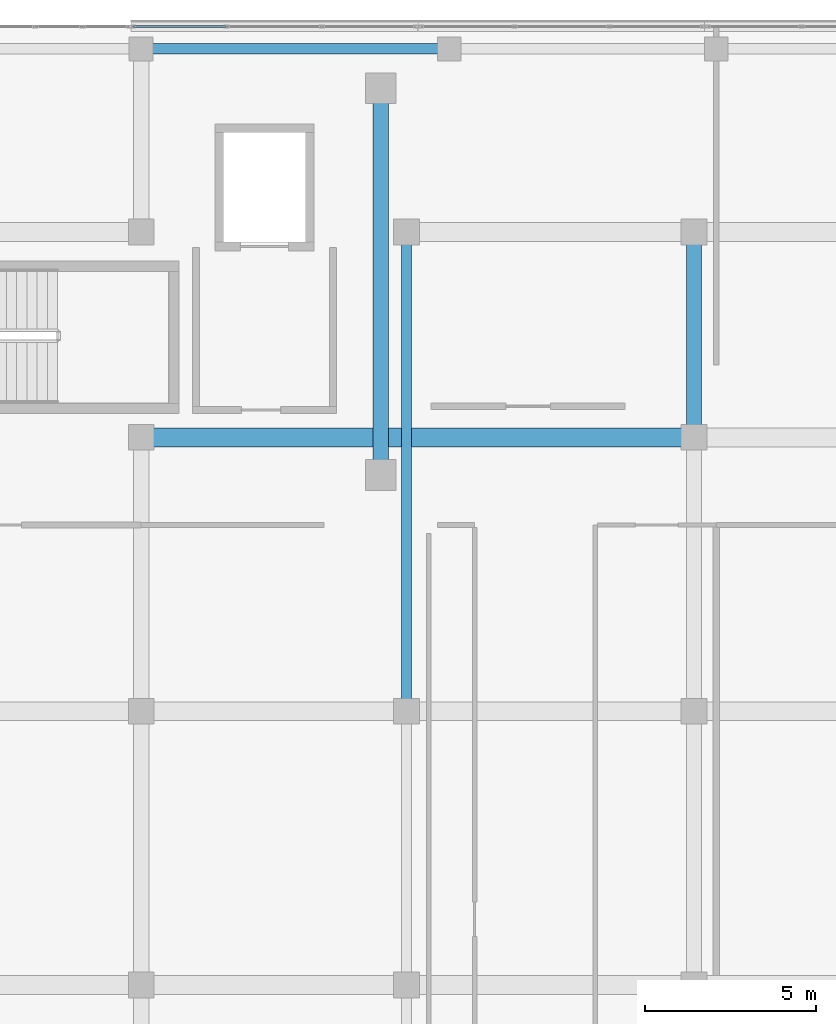
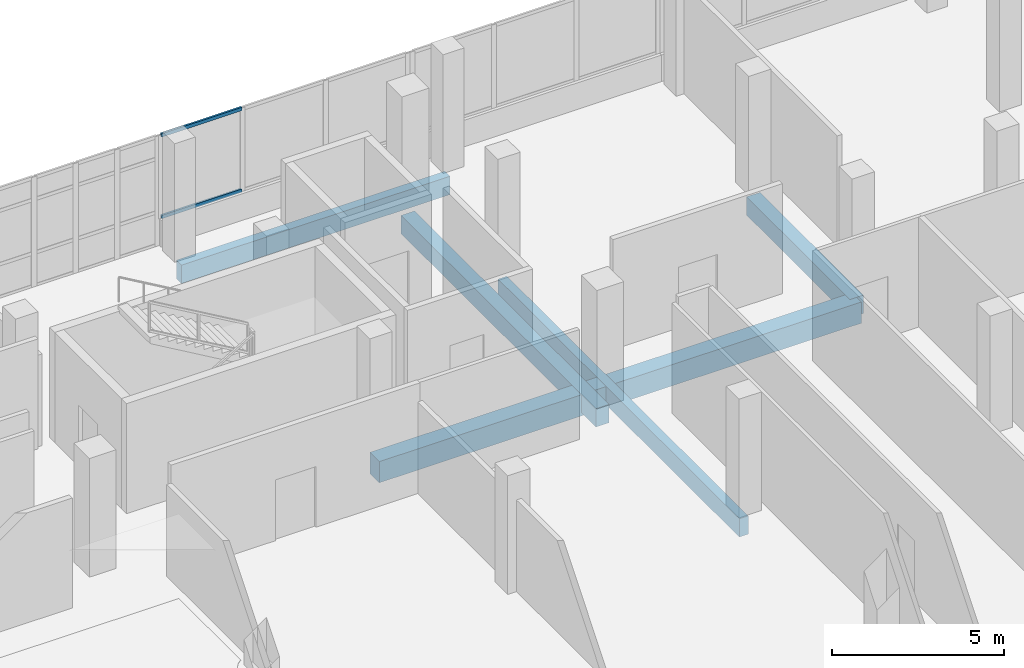
# One storey, part 135 of 184: 5 beams, 2 members, 1 element without a shape of its own.
"""IFC4 building model written with IfcOpenShell, lengths in metres."""

from ifc_helpers import new_model, si_unit, direction, frame, origin, origin_2d, place, context, subcontext, project, spatial, rectangle, hollow_rectangle, extrude, material, material_profile, profile_set, type_object, element, aggregate, save


model = new_model("IFC4")

# Units and contexts
model_context = context("Model", 3, precision=1e-05, world=origin(), true_north=direction((0.0, 1.0)))
body_context = subcontext(model_context, "Body", "Model", "MODEL_VIEW")
ifc_project = project(units=[si_unit("LENGTHUNIT", "METRE"), si_unit("AREAUNIT", "SQUARE_METRE"), si_unit("VOLUMEUNIT", "CUBIC_METRE"), si_unit("PLANEANGLEUNIT", "RADIAN"), si_unit("MASSUNIT", "GRAM", prefix="KILO")], contexts=[model_context])

# Site, building, storey
site_placement = place(None, origin())
site = spatial("IfcSite", under=ifc_project, at=site_placement, CompositionType="ELEMENT")
building_placement = place(site_placement, origin())
building = spatial("IfcBuilding", under=site, at=building_placement, Name="Selatvlak General Hospital", CompositionType="ELEMENT")
storey_placement = place(building_placement, frame((0.0, 0.0, 15.0)))
storey = spatial("IfcBuildingStorey", under=building, at=storey_placement, Name="L03", CompositionType="ELEMENT", Elevation=15.0)

# Beams
ifc_material_1 = material(Name="Concrete C40/50", Category="concrete")
ifc_material_profile_1 = material_profile(ifc_material_1, rectangle(XDim=0.550048828125, YDim=0.75, at=origin_2d()), Name="RC-BM 550x750")
ifc_profile_set_1 = profile_set([ifc_material_profile_1], Name="Concrete C40/50")
beam_type_1 = type_object("IfcBeamType", Name="BM-G02", PredefinedType="BEAM", material=ifc_profile_set_1)
beam_1_placement = place(storey_placement, frame((140.39990234375, 108.0, -0.715087890625), z_axis=(1.0, 0.0, 0.0), x_axis=(0.0, 1.0, 0.0)))
element("IfcBeam", 1, at=beam_1_placement, inside=storey, type_object=beam_type_1, Name="Beam BMR-L03-1257", PredefinedType="BEAM", context=body_context, shape_type="SweptSolid", body=[
    extrude(rectangle(XDim=0.550048828125, YDim=0.75, at=origin_2d()), origin(), (0.0, 0.0, 1.0), 16.150146484375),
])
ifc_material_profile_2 = material_profile(ifc_material_1, rectangle(XDim=0.449951171875, YDim=0.64990234375, at=origin_2d()), Name="RC-BM 450x650")
ifc_profile_set_2 = profile_set([ifc_material_profile_2], Name="Concrete C40/50")
beam_type_2 = type_object("IfcBeamType", Name="BM-G04", PredefinedType="BEAM", material=ifc_profile_set_2)
beam_2_placement = place(storey_placement, frame((147.39990234375, 106.89990234375, -0.6650390625), z_axis=(0.0, 1.0, 0.0), x_axis=(-1.0, 0.0, 0.0)))
element("IfcBeam", 2, at=beam_2_placement, inside=storey, type_object=beam_type_2, Name="Beam BMR-L03-1384", PredefinedType="BEAM", context=body_context, shape_type="SweptSolid", body=[
    extrude(rectangle(XDim=0.449951171875, YDim=0.64990234375, at=origin_2d()), origin(), (0.0, 0.0, 1.0), 11.300048828125),
])
beam_3_placement = place(storey_placement, frame((156.550048828125, 108.0, -0.6650390625), z_axis=(0.0, 1.0, 0.0), x_axis=(-1.0, 0.0, 0.0)))
element("IfcBeam", 3, at=beam_3_placement, inside=storey, type_object=beam_type_2, Name="Beam BMR-L03-1400", PredefinedType="BEAM", context=body_context, shape_type="SweptSolid", body=[
    extrude(rectangle(XDim=0.449951171875, YDim=0.64990234375, at=origin_2d()), origin(), (0.0, 0.0, 1.0), 6.0),
])
ifc_material_profile_3 = material_profile(ifc_material_1, rectangle(XDim=0.300048828125, YDim=0.64990234375, at=origin_2d()), Name="RC-SP 300x650")
ifc_profile_set_3 = profile_set([ifc_material_profile_3], Name="Concrete C40/50")
beam_type_3 = type_object("IfcBeamType", Name="BM-SP1", PredefinedType="SPANDREL", material=ifc_profile_set_3)
beam_4_placement = place(storey_placement, frame((140.39990234375, 119.35009765625, -0.6650390625), z_axis=(1.0, 0.0, 0.0), x_axis=(0.0, 1.0, 0.0)))
element("IfcBeam", 4, at=beam_4_placement, inside=storey, type_object=beam_type_3, Name="Beam BMR-L03-1286", PredefinedType="SPANDREL", context=body_context, shape_type="SweptSolid", body=[
    extrude(rectangle(XDim=0.300048828125, YDim=0.64990234375, at=origin_2d()), origin(), (0.0, 0.0, 1.0), 9.0),
])
beam_5_placement = place(storey_placement, frame((148.14990234375, 100.0, -0.6650390625), z_axis=(0.0, 1.0, 0.0), x_axis=(-1.0, 0.0, 0.0)))
element("IfcBeam", 5, at=beam_5_placement, inside=storey, type_object=beam_type_3, Name="Beam BMR-L03-1391", PredefinedType="SPANDREL", context=body_context, shape_type="SweptSolid", body=[
    extrude(rectangle(XDim=0.300048828125, YDim=0.64990234375, at=origin_2d()), origin(), (0.0, 0.0, 1.0), 14.0),
])

# Curtain wall, members
ifc_material_2 = material(Name="Solar-control Low-E double glazing", Category="glass")
curtain_wall_type = type_object("IfcCurtainWallType", Name="CW-CW-02", PredefinedType="USERDEFINED", material=ifc_material_2)
curtain_wall_placement = place(storey_placement, origin())
curtain_wall = element("IfcCurtainWall", 6, at=curtain_wall_placement, inside=storey, type_object=curtain_wall_type, Name="Glazed facade curtain wall CW-L03-0379", ObjectType="UNITISED CURTAIN WALL", PredefinedType="USERDEFINED")
ifc_material_3 = material(Name="Dark anodised aluminium mullion", Category="aluminium")
ifc_material_profile_4 = material_profile(ifc_material_3, hollow_rectangle(XDim=0.06494140625, YDim=0.1201171875, WallThickness=0.00390625, at=origin_2d()), Name="AL-TRN 65x120x4")
ifc_profile_set_4 = profile_set([ifc_material_profile_4], Name="Dark anodised aluminium mullion")
member_type = type_object("IfcMemberType", Name="CWT-01", PredefinedType="USERDEFINED", material=ifc_profile_set_4)
member_1_placement = place(storey_placement, frame((140.178955078125, 120.0, 0.972412109375), z_axis=(1.0, 0.0, 0.0), x_axis=(0.0, 1.0, 0.0)))
member_1 = element("IfcMember", 7, at=member_1_placement, type_object=member_type, Name="CW-02 transom 1.1", ObjectType="TRANSOM", PredefinedType="USERDEFINED", context=body_context, shape_type="SweptSolid", body=[
    extrude(hollow_rectangle(XDim=0.06494140625, YDim=0.1201171875, WallThickness=0.00390625, at=origin_2d()), origin(), (0.0, 0.0, 1.0), 2.685791015625),
])
member_2_placement = place(storey_placement, frame((140.178955078125, 120.0, 3.862548828125), z_axis=(1.0, 0.0, 0.0), x_axis=(0.0, 1.0, 0.0)))
member_2 = element("IfcMember", 8, at=member_2_placement, type_object=member_type, Name="CW-02 transom 1.2", ObjectType="TRANSOM", PredefinedType="USERDEFINED", context=body_context, shape_type="SweptSolid", body=[
    extrude(hollow_rectangle(XDim=0.06494140625, YDim=0.1201171875, WallThickness=0.00390625, at=origin_2d()), origin(), (0.0, 0.0, 1.0), 2.685791015625),
])
aggregate(curtain_wall, [member_1, member_2])

save(model, "model.ifc")
